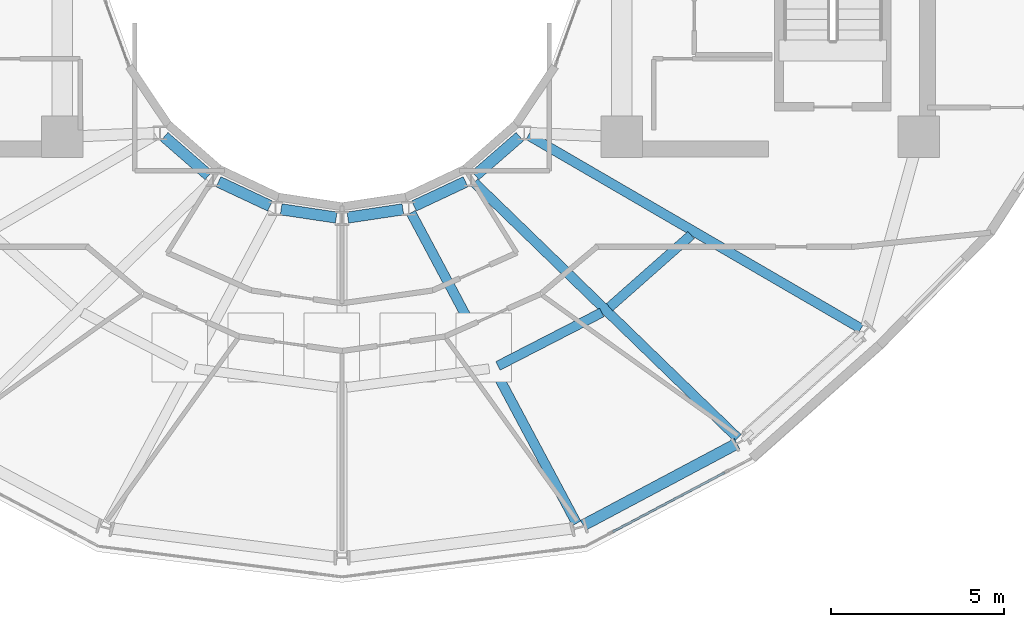
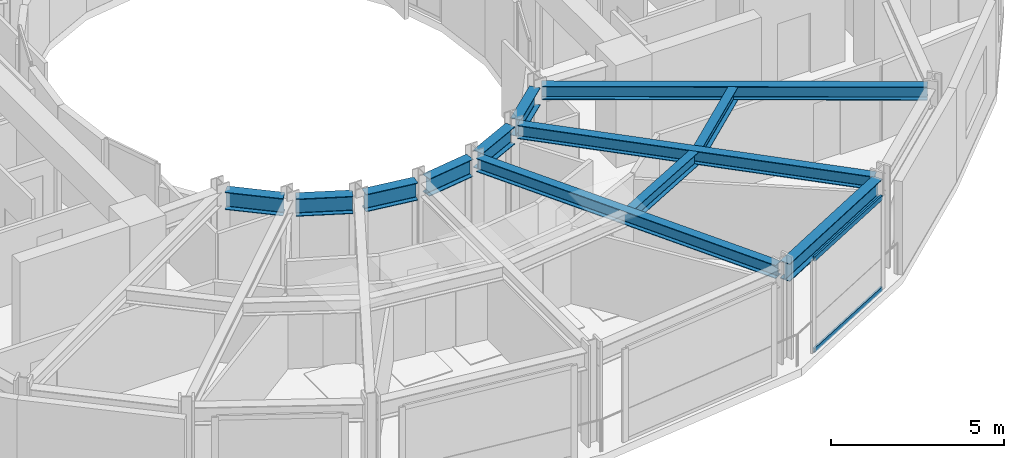
# One storey, part 5 of 24: 12 beams, 2 members, 1 element without a shape of its own.
"""IFC4 building model written with IfcOpenShell, lengths in metres."""

from ifc_helpers import new_model, si_unit, direction, frame, origin, origin_2d, place, context, subcontext, project, spatial, hollow_rectangle, i_section, extrude, material, layer, layer_set, material_profile, profile_set, type_object, element, aggregate, save


model = new_model("IFC4")

# Units and contexts
model_context = context("Model", 3, precision=1e-05, world=origin(), true_north=direction((0.0, 1.0)))
body_context = subcontext(model_context, "Body", "Model", "MODEL_VIEW")
ifc_project = project(units=[si_unit("LENGTHUNIT", "METRE"), si_unit("AREAUNIT", "SQUARE_METRE"), si_unit("VOLUMEUNIT", "CUBIC_METRE"), si_unit("PLANEANGLEUNIT", "RADIAN"), si_unit("MASSUNIT", "GRAM", prefix="KILO")], contexts=[model_context])

# Site, building, storey
site_placement = place(None, origin())
site = spatial("IfcSite", under=ifc_project, at=site_placement, CompositionType="ELEMENT")
building_placement = place(site_placement, origin())
building = spatial("IfcBuilding", under=site, at=building_placement, Name="Solvane Sanctuary Tower", CompositionType="ELEMENT")
storey_placement = place(building_placement, frame((0.0, 0.0, 246.0)))
storey = spatial("IfcBuildingStorey", under=building, at=storey_placement, Name="L75", CompositionType="ELEMENT", Elevation=246.0)

# Beams
ifc_material_1 = material(Name="Steel ASTM A992 Grade 50", Category="steel")
ifc_material_profile_1 = material_profile(ifc_material_1, i_section(OverallWidth=0.282958984375, OverallDepth=0.471923828125, WebThickness=0.013671875, FlangeThickness=0.022216796875, FilletRadius=0.013916015625, at=origin_2d()), Name="W18X97")
ifc_profile_set_1 = profile_set([ifc_material_profile_1], Name="Steel ASTM A992 Grade 50")
beam_type_1 = type_object("IfcBeamType", Name="Beam B-RAD-Z4 W18X97", PredefinedType="JOIST", material=ifc_profile_set_1)
beam_1_placement = place(storey_placement, frame((33.99658203125, 14.704833984375, 3.08203125), z_axis=(0.470405435304, -0.882450410185, 0.0), x_axis=(0.882450410185, 0.470405435304, 0.0)))
element("IfcBeam", 1, at=beam_1_placement, inside=storey, type_object=beam_type_1, Name="L75 Radial Composite Floor Beam 12", PredefinedType="JOIST", context=body_context, shape_type="SweptSolid", body=[
    extrude(i_section(OverallWidth=0.282958984375, OverallDepth=0.471923828125, WebThickness=0.013671875, FlangeThickness=0.022216796875, FilletRadius=0.013916015625, at=origin_2d()), origin(), (0.0, 0.0, 1.0), 10.190673828125),
])
beam_2_placement = place(storey_placement, frame((35.83056640625, 15.575927734375, 3.08203125), z_axis=(0.71793137972, -0.696113880061, 0.0), x_axis=(0.696113880061, 0.71793137972, 0.0)))
element("IfcBeam", 2, at=beam_2_placement, inside=storey, type_object=beam_type_1, Name="L75 Radial Composite Floor Beam 13", PredefinedType="JOIST", context=body_context, shape_type="SweptSolid", body=[
    extrude(i_section(OverallWidth=0.282958984375, OverallDepth=0.471923828125, WebThickness=0.013671875, FlangeThickness=0.022216796875, FilletRadius=0.013916015625, at=origin_2d()), origin(), (0.0, 0.0, 1.0), 10.619384765625),
])
beam_3_placement = place(storey_placement, frame((37.39599609375, 16.947509765625, 3.08203125), z_axis=(0.864496775109, -0.502638364857, 0.0), x_axis=(0.502638364857, 0.864496775109, 0.0)))
element("IfcBeam", 3, at=beam_3_placement, inside=storey, type_object=beam_type_1, Name="L75 Radial Composite Floor Beam 14", PredefinedType="JOIST", context=body_context, shape_type="SweptSolid", body=[
    extrude(i_section(OverallWidth=0.282958984375, OverallDepth=0.471923828125, WebThickness=0.013671875, FlangeThickness=0.022216796875, FilletRadius=0.013916015625, at=origin_2d()), origin(), (0.0, 0.0, 1.0), 11.136962890625),
])
ifc_material_profile_2 = material_profile(ifc_material_1, i_section(OverallWidth=0.324951171875, OverallDepth=0.615966796875, WebThickness=0.013916015625, FlangeThickness=0.021484375, FilletRadius=0.01611328125, at=origin_2d()), Name="W24X117")
ifc_profile_set_2 = profile_set([ifc_material_profile_2], Name="Steel ASTM A992 Grade 50")
beam_type_2 = type_object("IfcBeamType", Name="Beam B-RING-IN2 W24X117", PredefinedType="BEAM", material=ifc_profile_set_2)
beam_4_placement = place(storey_placement, frame((26.853271484375, 16.90625, 3.010009765625), z_axis=(0.754362388825, -0.656458213694, 0.0), x_axis=(0.656458213694, 0.754362388825, 0.0)))
element("IfcBeam", 4, at=beam_4_placement, inside=storey, type_object=beam_type_2, Name="L75 Inner Light-Well Ring Beam IC08-IC09", PredefinedType="BEAM", context=body_context, shape_type="SweptSolid", body=[
    extrude(i_section(OverallWidth=0.324951171875, OverallDepth=0.615966796875, WebThickness=0.013916015625, FlangeThickness=0.021484375, FilletRadius=0.01611328125, at=origin_2d()), origin(), (0.0, 0.0, 1.0), 1.708251953125),
])
beam_5_placement = place(storey_placement, frame((28.423828125, 15.60107421875, 3.010009765625), z_axis=(0.905150857291, -0.425090491008, 0.0), x_axis=(0.425090491008, 0.905150857291, 0.0)))
element("IfcBeam", 5, at=beam_5_placement, inside=storey, type_object=beam_type_2, Name="L75 Inner Light-Well Ring Beam IC09-IC10", PredefinedType="BEAM", context=body_context, shape_type="SweptSolid", body=[
    extrude(i_section(OverallWidth=0.324951171875, OverallDepth=0.615966796875, WebThickness=0.013916015625, FlangeThickness=0.021484375, FilletRadius=0.01611328125, at=origin_2d()), origin(), (0.0, 0.0, 1.0), 1.647705078125),
])
for number, where, z_axis, x_axis, name in (
    (6, (30.2373046875, 14.80322265625, 3.010009765625), (0.989039416515, -0.147651727316, 0.0), (0.147651727316, 0.989039416515, 0.0), "L75 Inner Light-Well Ring Beam IC10-IC11"),
    (7, (32.168212890625, 14.565185546875, 3.010009765625), (0.989039416515, 0.147651727316, 0.0), (-0.147651727316, 0.989039416515, 0.0), "L75 Inner Light-Well Ring Beam IC11-IC12"),
):
    element("IfcBeam", number, at=place(storey_placement, frame(where, z_axis=z_axis, x_axis=x_axis)), inside=storey, type_object=beam_type_2, Name=name, PredefinedType="BEAM", context=body_context, shape_type="SweptSolid", body=[
        extrude(i_section(OverallWidth=0.324951171875, OverallDepth=0.615966796875, WebThickness=0.013916015625, FlangeThickness=0.021484375, FilletRadius=0.01611328125, at=origin_2d()), origin(), (0.0, 0.0, 1.0), 1.612060546875),
    ])
beam_6_placement = place(storey_placement, frame((34.084716796875, 14.900634765625, 3.010009765625), z_axis=(0.905150857291, 0.425090491008, 0.0), x_axis=(-0.425090491008, 0.905150857291, 0.0)))
element("IfcBeam", 8, at=beam_6_placement, inside=storey, type_object=beam_type_2, Name="L75 Inner Light-Well Ring Beam IC12-IC13", PredefinedType="BEAM", context=body_context, shape_type="SweptSolid", body=[
    extrude(i_section(OverallWidth=0.324951171875, OverallDepth=0.615966796875, WebThickness=0.013916015625, FlangeThickness=0.021484375, FilletRadius=0.01611328125, at=origin_2d()), origin(), (0.0, 0.0, 1.0), 1.647705078125),
])
beam_7_placement = place(storey_placement, frame((35.858154296875, 15.784912109375, 3.010009765625), z_axis=(0.754362388825, 0.656458213694, 0.0), x_axis=(-0.656458213694, 0.754362388825, 0.0)))
element("IfcBeam", 9, at=beam_7_placement, inside=storey, type_object=beam_type_2, Name="L75 Inner Light-Well Ring Beam IC13-IC14", PredefinedType="BEAM", context=body_context, shape_type="SweptSolid", body=[
    extrude(i_section(OverallWidth=0.324951171875, OverallDepth=0.615966796875, WebThickness=0.013916015625, FlangeThickness=0.021484375, FilletRadius=0.01611328125, at=origin_2d()), origin(), (0.0, 0.0, 1.0), 1.708251953125),
])
ifc_material_profile_3 = material_profile(ifc_material_1, i_section(OverallWidth=0.280029296875, OverallDepth=0.462890625, WebThickness=0.0107421875, FlangeThickness=0.017333984375, FilletRadius=0.013916015625, at=origin_2d()), Name="W18X76")
ifc_profile_set_3 = profile_set([ifc_material_profile_3], Name="Steel ASTM A992 Grade 50")
beam_type_3 = type_object("IfcBeamType", Name="Beam B-SEC-JOIST W18X76", PredefinedType="JOIST", material=ifc_profile_set_3)
beam_8_placement = place(storey_placement, frame((36.514892578125, 10.27099609375, 3.08642578125), z_axis=(0.88924080122, 0.4574393921, 0.0), x_axis=(-0.4574393921, 0.88924080122, 0.0)))
element("IfcBeam", 10, at=beam_8_placement, inside=storey, type_object=beam_type_3, Name="L75 Secondary Circumferential Joist 12-13", PredefinedType="JOIST", context=body_context, shape_type="SweptSolid", body=[
    extrude(i_section(OverallWidth=0.280029296875, OverallDepth=0.462890625, WebThickness=0.0107421875, FlangeThickness=0.017333984375, FilletRadius=0.013916015625, at=origin_2d()), origin(), (0.0, 0.0, 1.0), 3.380615234375),
])
beam_9_placement = place(storey_placement, frame((39.744873046875, 11.97021484375, 3.08642578125), z_axis=(0.749354102876, 0.662169486236, 0.0), x_axis=(-0.662169486236, 0.749354102876, 0.0)))
element("IfcBeam", 11, at=beam_9_placement, inside=storey, type_object=beam_type_3, Name="L75 Secondary Circumferential Joist 13-14", PredefinedType="JOIST", context=body_context, shape_type="SweptSolid", body=[
    extrude(i_section(OverallWidth=0.280029296875, OverallDepth=0.462890625, WebThickness=0.0107421875, FlangeThickness=0.017333984375, FilletRadius=0.013916015625, at=origin_2d()), origin(), (0.0, 0.0, 1.0), 3.153076171875),
])
ifc_material_profile_4 = material_profile(ifc_material_1, i_section(OverallWidth=0.327880859375, OverallDepth=0.6279296875, WebThickness=0.0166015625, FlangeThickness=0.027587890625, FilletRadius=0.01611328125, at=origin_2d()), Name="W24X146")
ifc_profile_set_4 = profile_set([ifc_material_profile_4], Name="Steel ASTM A992 Grade 50")
beam_type_4 = type_object("IfcBeamType", Name="Beam B-SPAND-Z3 W24X146", PredefinedType="SPANDREL", material=ifc_profile_set_4)
beam_10_placement = place(storey_placement, frame((38.979736328125, 5.654296875, 3.00390625), z_axis=(0.883011615456, 0.469351133981, 0.0), x_axis=(-0.469351133981, 0.883011615456, 0.0)))
element("IfcBeam", 12, at=beam_10_placement, inside=storey, type_object=beam_type_4, Name="L75 Perimeter Spandrel Beam TC12-TC13", PredefinedType="SPANDREL", context=body_context, shape_type="SweptSolid", body=[
    extrude(i_section(OverallWidth=0.327880859375, OverallDepth=0.6279296875, WebThickness=0.0166015625, FlangeThickness=0.027587890625, FilletRadius=0.01611328125, at=origin_2d()), origin(), (0.0, 0.0, 1.0), 5.04150390625),
])

# Curtain wall, members
ifc_material_2 = material(Name="Anodised Aluminium 6063-T6", Category="aluminium")
ifc_layer = layer(ifc_material_2, 0.18994140625, Name="Anodised Aluminium 6063-T6")
ifc_layer_set = layer_set([ifc_layer], Name="Anodised Aluminium 6063-T6")
curtain_wall_type = type_object("IfcCurtainWallType", Name="Curtain Wall CW-OPER", PredefinedType="NOTDEFINED", material=ifc_layer_set)
curtain_wall_placement = place(storey_placement, origin())
curtain_wall = element("IfcCurtainWall", 13, at=curtain_wall_placement, inside=storey, type_object=curtain_wall_type, Name="L75 CW-OPER Facade Run 19", PredefinedType="NOTDEFINED")
ifc_material_profile_5 = material_profile(ifc_material_2, hollow_rectangle(XDim=0.06494140625, YDim=0.159912109375, WallThickness=0.00341796875, at=origin_2d()), Name="ALU160X65X3.5")
ifc_profile_set_5 = profile_set([ifc_material_profile_5], Name="Anodised Aluminium 6063-T6")
member_type = type_object("IfcMemberType", Name="Member M-CW-TRN-1 ALU160X65X3.5", PredefinedType="USERDEFINED", material=ifc_profile_set_5)
member_1_placement = place(storey_placement, frame((39.834228515625, 5.466552734375, 0.032470703125), z_axis=(0.883977140568, 0.467530121975, 0.0), x_axis=(-0.467530121975, 0.883977140568, 0.0)))
member_1 = element("IfcMember", 14, at=member_1_placement, type_object=member_type, Name="CW-OPER transom 1.1", ObjectType="TRANSOM", PredefinedType="USERDEFINED", context=body_context, shape_type="SweptSolid", body=[
    extrude(hollow_rectangle(XDim=0.06494140625, YDim=0.159912109375, WallThickness=0.00341796875, at=origin_2d()), origin(), (0.0, 0.0, 1.0), 3.67041015625),
])
member_2_placement = place(storey_placement, frame((39.834228515625, 5.466552734375, 3.24755859375), z_axis=(0.883977140568, 0.467530121975, 0.0), x_axis=(-0.467530121975, 0.883977140568, 0.0)))
member_2 = element("IfcMember", 15, at=member_2_placement, type_object=member_type, Name="CW-OPER transom 1.2", ObjectType="TRANSOM", PredefinedType="USERDEFINED", context=body_context, shape_type="SweptSolid", body=[
    extrude(hollow_rectangle(XDim=0.06494140625, YDim=0.159912109375, WallThickness=0.00341796875, at=origin_2d()), origin(), (0.0, 0.0, 1.0), 3.67041015625),
])
aggregate(curtain_wall, [member_1, member_2])

save(model, "model.ifc")
